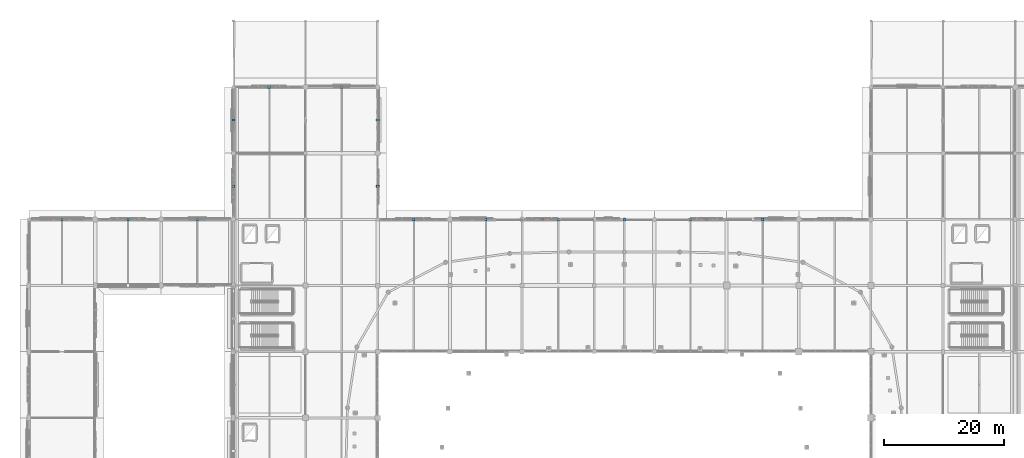
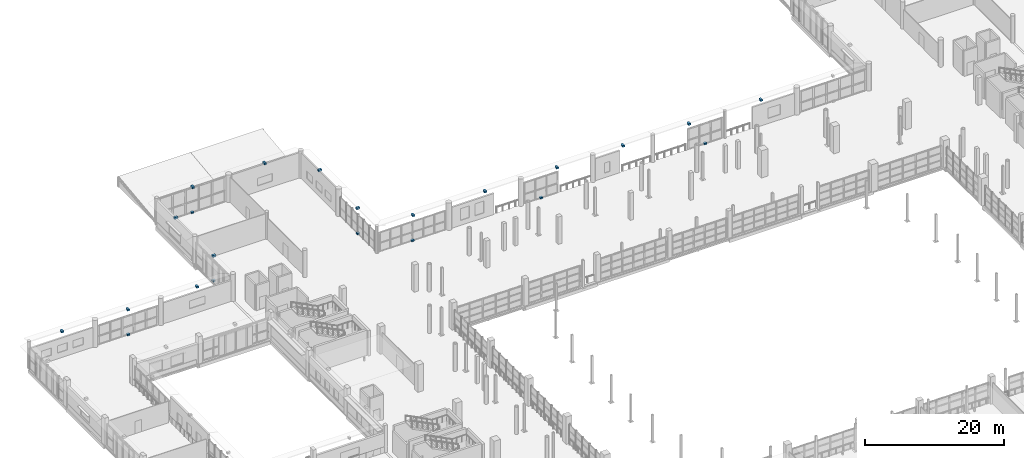
# One storey, part 111 of 143: 22 discrete accessories.
"""IFC4 building model written with IfcOpenShell, lengths in metres."""

from ifc_helpers import new_model, si_unit, direction, frame, origin, origin_2d, place, context, subcontext, project, spatial, rectangle, extrude, material, layer, layer_set, type_object, element, save


model = new_model("IFC4")

# Units and contexts
model_context = context("Model", 3, precision=1e-05, world=origin(), true_north=direction((0.0, 1.0)))
body_context = subcontext(model_context, "Body", "Model", "MODEL_VIEW")
ifc_project = project(units=[si_unit("LENGTHUNIT", "METRE"), si_unit("AREAUNIT", "SQUARE_METRE"), si_unit("VOLUMEUNIT", "CUBIC_METRE"), si_unit("PLANEANGLEUNIT", "RADIAN"), si_unit("MASSUNIT", "GRAM", prefix="KILO")], contexts=[model_context])

# Site, building, storey
site_placement = place(None, origin())
site = spatial("IfcSite", under=ifc_project, at=site_placement, CompositionType="ELEMENT")
building_placement = place(site_placement, origin())
building = spatial("IfcBuilding", under=site, at=building_placement, Name="Luwafu Chhajja Arena", CompositionType="ELEMENT")
storey_placement = place(building_placement, frame((0.0, 0.0, 5.39990234375)))
storey = spatial("IfcBuildingStorey", under=building, at=storey_placement, Name="L01", CompositionType="ELEMENT", Elevation=5.39990234375)

# Discrete accessories
ifc_material = material(Name="Stainless steel bracket", Category="steel")
ifc_layer = layer(ifc_material, 0.179931640625, Name="Stainless steel bracket")
ifc_layer_set = layer_set([ifc_layer], Name="Stainless steel bracket")
discrete_accessory_type = type_object("IfcDiscreteAccessoryType", Name="Stainless Steel Facade Support Bracket", PredefinedType="BRACKET", material=ifc_layer_set)
for number, where, z_axis, x_axis, name in (
    (1, (5.5, 99.0, 4.3798828125), (0.0, 0.0, 1.0), (1.0, 0.0, 0.0), "L01 Chhajja Eave Support Bracket 0138"),
    (2, (16.5, 99.0, 4.3798828125), (0.0, 0.0, 1.0), (1.0, 0.0, 0.0), "L01 Chhajja Eave Support Bracket 0148"),
):
    element("IfcDiscreteAccessory", number, at=place(storey_placement, frame(where, z_axis=z_axis, x_axis=x_axis)), inside=storey, type_object=discrete_accessory_type, Name=name, PredefinedType="BRACKET", context=body_context, shape_type="SweptSolid", body=[
        extrude(rectangle(XDim=0.360107421875, YDim=0.52001953125, at=origin_2d()), origin(), (0.0, 0.0, 1.0), 0.320068359375),
    ])
discrete_accessory_1_placement = place(storey_placement, frame((16.52490234375, 99.0, -0.009765625), z_axis=(0.0, 0.0, 1.0), x_axis=(1.0, 0.0, 0.0)))
element("IfcDiscreteAccessory", 3, at=discrete_accessory_1_placement, inside=storey, type_object=discrete_accessory_type, Name="Jali Stainless Support Bracket 0149", PredefinedType="BRACKET", context=body_context, shape_type="SweptSolid", body=[
    extrude(rectangle(XDim=0.419921875, YDim=0.419921875, at=origin_2d()), origin(), (0.0, 0.0, 1.0), 0.260009765625),
])
for number, where, z_axis, x_axis, name in (
    (4, (28.0, 99.0, 4.3798828125), (0.0, 0.0, 1.0), (1.0, 0.0, 0.0), "L01 Chhajja Eave Support Bracket 0155"),
    (5, (34.0, 104.5, 4.3798828125), (0.0, 0.0, 1.0), (0.0, 1.0, 0.0), "L01 Chhajja Eave Support Bracket 0160"),
):
    element("IfcDiscreteAccessory", number, at=place(storey_placement, frame(where, z_axis=z_axis, x_axis=x_axis)), inside=storey, type_object=discrete_accessory_type, Name=name, PredefinedType="BRACKET", context=body_context, shape_type="SweptSolid", body=[
        extrude(rectangle(XDim=0.360107421875, YDim=0.52001953125, at=origin_2d()), origin(), (0.0, 0.0, 1.0), 0.320068359375),
    ])
discrete_accessory_2_placement = place(storey_placement, frame((34.0, 104.52490234375, -0.009765625), z_axis=(0.0, 0.0, 1.0), x_axis=(0.0, 1.0, 0.0)))
element("IfcDiscreteAccessory", 6, at=discrete_accessory_2_placement, inside=storey, type_object=discrete_accessory_type, Name="Jali Stainless Support Bracket 0161", PredefinedType="BRACKET", context=body_context, shape_type="SweptSolid", body=[
    extrude(rectangle(XDim=0.419921875, YDim=0.419921875, at=origin_2d()), origin(), (0.0, 0.0, 1.0), 0.260009765625),
])
discrete_accessory_3_placement = place(storey_placement, frame((40.0, 121.0, 4.3798828125), z_axis=(0.0, 0.0, 1.0), x_axis=(1.0, 0.0, 0.0)))
element("IfcDiscreteAccessory", 7, at=discrete_accessory_3_placement, inside=storey, type_object=discrete_accessory_type, Name="L01 Chhajja Eave Support Bracket 0162", PredefinedType="BRACKET", context=body_context, shape_type="SweptSolid", body=[
    extrude(rectangle(XDim=0.360107421875, YDim=0.52001953125, at=origin_2d()), origin(), (0.0, 0.0, 1.0), 0.320068359375),
])
discrete_accessory_4_placement = place(storey_placement, frame((39.91259765625, 121.0, -0.009765625), z_axis=(0.0, 0.0, 1.0), x_axis=(1.0, 0.0, 0.0)))
element("IfcDiscreteAccessory", 8, at=discrete_accessory_4_placement, inside=storey, type_object=discrete_accessory_type, Name="Jali Stainless Support Bracket 0163", PredefinedType="BRACKET", context=body_context, shape_type="SweptSolid", body=[
    extrude(rectangle(XDim=0.419921875, YDim=0.419921875, at=origin_2d()), origin(), (0.0, 0.0, 1.0), 0.260009765625),
])
for number, where, z_axis, x_axis, name in (
    (9, (34.0, 115.5, 4.3798828125), (0.0, 0.0, 1.0), (0.0, 1.0, 0.0), "L01 Chhajja Eave Support Bracket 0164"),
    (10, (58.0, 104.5, 4.3798828125), (0.0, 0.0, 1.0), (0.0, 1.0, 0.0), "L01 Chhajja Eave Support Bracket 0168"),
):
    element("IfcDiscreteAccessory", number, at=place(storey_placement, frame(where, z_axis=z_axis, x_axis=x_axis)), inside=storey, type_object=discrete_accessory_type, Name=name, PredefinedType="BRACKET", context=body_context, shape_type="SweptSolid", body=[
        extrude(rectangle(XDim=0.360107421875, YDim=0.52001953125, at=origin_2d()), origin(), (0.0, 0.0, 1.0), 0.320068359375),
    ])
discrete_accessory_5_placement = place(storey_placement, frame((58.0, 104.41259765625, -0.009765625), z_axis=(0.0, 0.0, 1.0), x_axis=(0.0, 1.0, 0.0)))
element("IfcDiscreteAccessory", 11, at=discrete_accessory_5_placement, inside=storey, type_object=discrete_accessory_type, Name="Jali Stainless Support Bracket 0169", PredefinedType="BRACKET", context=body_context, shape_type="SweptSolid", body=[
    extrude(rectangle(XDim=0.419921875, YDim=0.419921875, at=origin_2d()), origin(), (0.0, 0.0, 1.0), 0.260009765625),
])
for number, where, z_axis, x_axis, name in (
    (12, (52.0, 121.0, 4.3798828125), (0.0, 0.0, 1.0), (1.0, 0.0, 0.0), "L01 Chhajja Eave Support Bracket 0170"),
    (13, (58.0, 115.5, 4.3798828125), (0.0, 0.0, 1.0), (0.0, 1.0, 0.0), "L01 Chhajja Eave Support Bracket 0171"),
    (14, (64.0, 99.0, 4.3798828125), (0.0, 0.0, 1.0), (1.0, 0.0, 0.0), "L01 Chhajja Eave Support Bracket 0172"),
):
    element("IfcDiscreteAccessory", number, at=place(storey_placement, frame(where, z_axis=z_axis, x_axis=x_axis)), inside=storey, type_object=discrete_accessory_type, Name=name, PredefinedType="BRACKET", context=body_context, shape_type="SweptSolid", body=[
        extrude(rectangle(XDim=0.360107421875, YDim=0.52001953125, at=origin_2d()), origin(), (0.0, 0.0, 1.0), 0.320068359375),
    ])
discrete_accessory_6_placement = place(storey_placement, frame((63.91259765625, 99.0, -0.009765625), z_axis=(0.0, 0.0, 1.0), x_axis=(1.0, 0.0, 0.0)))
element("IfcDiscreteAccessory", 15, at=discrete_accessory_6_placement, inside=storey, type_object=discrete_accessory_type, Name="Jali Stainless Support Bracket 0173", PredefinedType="BRACKET", context=body_context, shape_type="SweptSolid", body=[
    extrude(rectangle(XDim=0.419921875, YDim=0.419921875, at=origin_2d()), origin(), (0.0, 0.0, 1.0), 0.260009765625),
])
for number, where, z_axis, x_axis, name in (
    (16, (76.0, 99.0, 4.3798828125), (0.0, 0.0, 1.0), (1.0, 0.0, 0.0), "L01 Chhajja Eave Support Bracket 0174"),
    (17, (88.0, 99.0, 4.3798828125), (0.0, 0.0, 1.0), (1.0, 0.0, 0.0), "L01 Chhajja Eave Support Bracket 0175"),
):
    element("IfcDiscreteAccessory", number, at=place(storey_placement, frame(where, z_axis=z_axis, x_axis=x_axis)), inside=storey, type_object=discrete_accessory_type, Name=name, PredefinedType="BRACKET", context=body_context, shape_type="SweptSolid", body=[
        extrude(rectangle(XDim=0.360107421875, YDim=0.52001953125, at=origin_2d()), origin(), (0.0, 0.0, 1.0), 0.320068359375),
    ])
discrete_accessory_7_placement = place(storey_placement, frame((85.3486328125, 99.0, -0.009765625), z_axis=(0.0, 0.0, 1.0), x_axis=(1.0, 0.0, 0.0)))
element("IfcDiscreteAccessory", 18, at=discrete_accessory_7_placement, inside=storey, type_object=discrete_accessory_type, Name="Jali Stainless Support Bracket 0176", PredefinedType="BRACKET", context=body_context, shape_type="SweptSolid", body=[
    extrude(rectangle(XDim=0.419921875, YDim=0.419921875, at=origin_2d()), origin(), (0.0, 0.0, 1.0), 0.260009765625),
])
for number, where, z_axis, x_axis, name in (
    (19, (99.0, 99.0, 4.3798828125), (0.0, 0.0, 1.0), (1.0, 0.0, 0.0), "L01 Chhajja Eave Support Bracket 0177"),
    (20, (110.0, 99.0, 4.3798828125), (0.0, 0.0, 1.0), (1.0, 0.0, 0.0), "L01 Chhajja Eave Support Bracket 0178"),
):
    element("IfcDiscreteAccessory", number, at=place(storey_placement, frame(where, z_axis=z_axis, x_axis=x_axis)), inside=storey, type_object=discrete_accessory_type, Name=name, PredefinedType="BRACKET", context=body_context, shape_type="SweptSolid", body=[
        extrude(rectangle(XDim=0.360107421875, YDim=0.52001953125, at=origin_2d()), origin(), (0.0, 0.0, 1.0), 0.320068359375),
    ])
discrete_accessory_8_placement = place(storey_placement, frame((112.7138671875, 99.0, -0.009765625), z_axis=(0.0, 0.0, 1.0), x_axis=(1.0, 0.0, 0.0)))
element("IfcDiscreteAccessory", 21, at=discrete_accessory_8_placement, inside=storey, type_object=discrete_accessory_type, Name="Jali Stainless Support Bracket 0179", PredefinedType="BRACKET", context=body_context, shape_type="SweptSolid", body=[
    extrude(rectangle(XDim=0.419921875, YDim=0.419921875, at=origin_2d()), origin(), (0.0, 0.0, 1.0), 0.260009765625),
])
discrete_accessory_9_placement = place(storey_placement, frame((122.0, 99.0, 4.3798828125), z_axis=(0.0, 0.0, 1.0), x_axis=(1.0, 0.0, 0.0)))
element("IfcDiscreteAccessory", 22, at=discrete_accessory_9_placement, inside=storey, type_object=discrete_accessory_type, Name="L01 Chhajja Eave Support Bracket 0180", PredefinedType="BRACKET", context=body_context, shape_type="SweptSolid", body=[
    extrude(rectangle(XDim=0.360107421875, YDim=0.52001953125, at=origin_2d()), origin(), (0.0, 0.0, 1.0), 0.320068359375),
])

save(model, "model.ifc")
